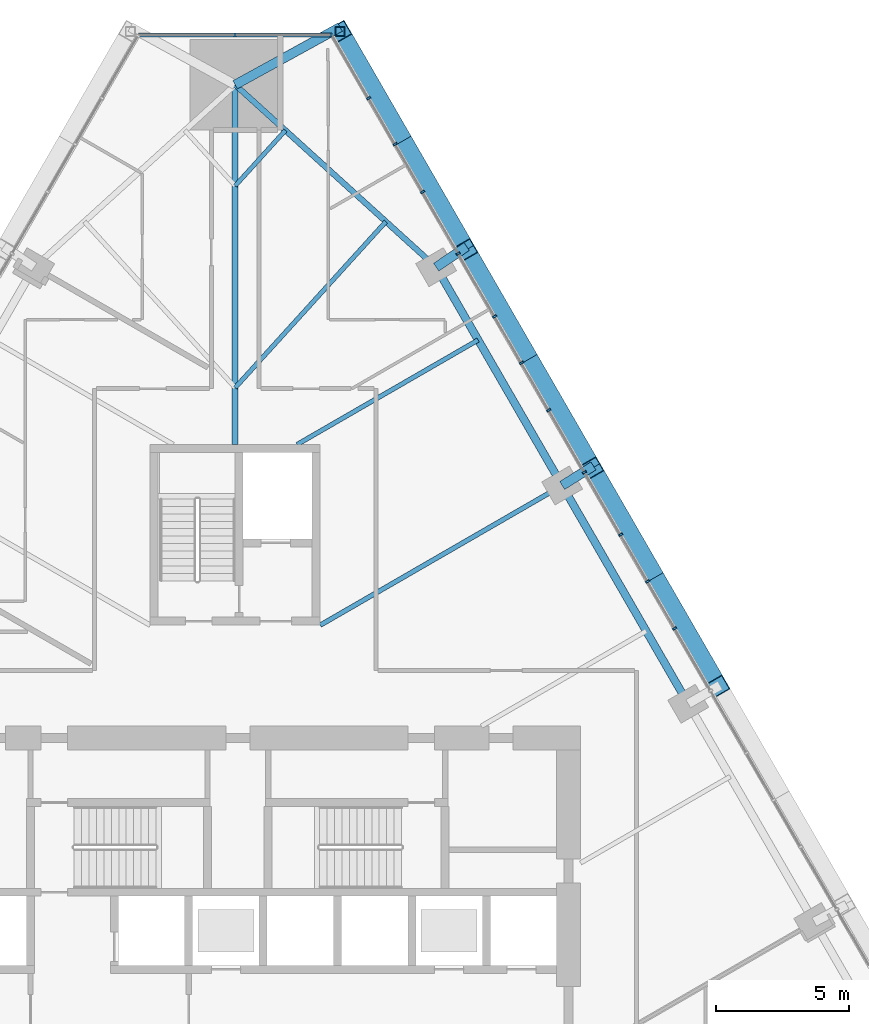
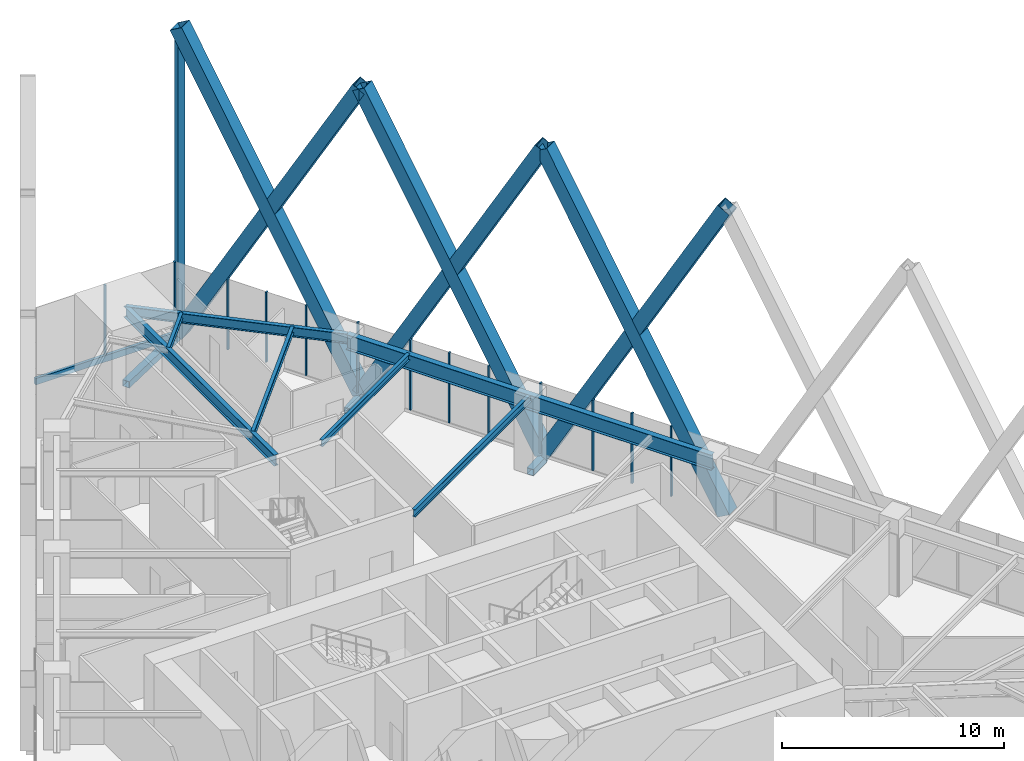
# One storey, part 11 of 21: 24 members, 7 beams, 2 elements without a shape of their own.
"""IFC4 building model written with IfcOpenShell, lengths in metres."""

from ifc_helpers import new_model, si_unit, direction, frame, origin, origin_2d, place, context, subcontext, project, spatial, rectangle, hollow_rectangle, i_section, extrude, material, layer, layer_set, material_profile, profile_set, type_object, element, aggregate, save


model = new_model("IFC4")

# Units and contexts
model_context = context("Model", 3, precision=1e-05, world=origin(), true_north=direction((0.0, 1.0)))
body_context = subcontext(model_context, "Body", "Model", "MODEL_VIEW")
ifc_project = project(units=[si_unit("LENGTHUNIT", "METRE"), si_unit("AREAUNIT", "SQUARE_METRE"), si_unit("VOLUMEUNIT", "CUBIC_METRE"), si_unit("PLANEANGLEUNIT", "RADIAN"), si_unit("MASSUNIT", "GRAM", prefix="KILO")], contexts=[model_context])

# Site, building, storey
site_placement = place(None, origin())
site = spatial("IfcSite", under=ifc_project, at=site_placement, CompositionType="ELEMENT")
building_placement = place(site_placement, origin())
building = spatial("IfcBuilding", under=site, at=building_placement, Name="Firuza Gate Tower and Library", CompositionType="ELEMENT")
storey_placement = place(building_placement, frame((0.0, 0.0, 73.60009765625)))
storey = spatial("IfcBuildingStorey", under=building, at=storey_placement, Name="L16", CompositionType="ELEMENT", Elevation=73.60009765625)

# Members
ifc_material_1 = material(Name="Steel S355", Category="steel")
ifc_material_profile_1 = material_profile(ifc_material_1, hollow_rectangle(XDim=0.699951171875, YDim=0.699951171875, WallThickness=0.030029296875, at=origin_2d()))
ifc_profile_set_1 = profile_set([ifc_material_profile_1], Name="Steel S355")
member_type_1 = type_object("IfcMemberType", Name="BU700x700x30 Lattice brace", PredefinedType="BRACE", material=ifc_profile_set_1)
for number, where, z_axis, x_axis, name in (
    (1, (93.17431640625, 85.492919921875, 0.0), (-0.245828209421, 0.425789239287, 0.870788157453), (-0.866026568532, -0.499997982593, 0.0), "Lattice brace E 3.4R"),
    (2, (88.431640625, 93.70751953125, 0.0), (0.245828209421, -0.425789239287, 0.870788157453), (0.866026568532, 0.499997982593, 0.0), "Lattice brace E 3.4L"),
):
    element("IfcMember", number, at=place(storey_placement, frame(where, z_axis=z_axis, x_axis=x_axis)), inside=storey, type_object=member_type_1, Name=name, PredefinedType="BRACE", context=body_context, shape_type="SweptSolid", body=[
        extrude(hollow_rectangle(XDim=0.699951171875, YDim=0.699951171875, WallThickness=0.030029296875, at=origin_2d()), origin(), (0.0, 0.0, 1.0), 19.292724609375),
    ])
for number, where, z_axis, x_axis, name in (
    (3, (88.431640625, 93.70751953125, 0.0), (-0.245829533982, 0.42577887884, 0.870792849394), (-0.866020133719, -0.500009127909, 0.0), "Lattice brace E 3.5R"),
    (4, (83.68896484375, 101.921875, 0.0), (0.245829533982, -0.42577887884, 0.870792849394), (0.866020133719, 0.500009127909, 0.0), "Lattice brace E 3.5L"),
):
    element("IfcMember", number, at=place(storey_placement, frame(where, z_axis=z_axis, x_axis=x_axis)), inside=storey, type_object=member_type_1, Name=name, PredefinedType="BRACE", context=body_context, shape_type="SweptSolid", body=[
        extrude(hollow_rectangle(XDim=0.699951171875, YDim=0.699951171875, WallThickness=0.030029296875, at=origin_2d()), origin(), (0.0, 0.0, 1.0), 19.29248046875),
    ])
for number, where, z_axis, x_axis, name in (
    (5, (83.68896484375, 101.921875, 0.0), (-0.245828209421, 0.425789239287, 0.870788157453), (-0.866026568532, -0.499997982593, 0.0), "Lattice brace E 3.6R"),
    (6, (78.9462890625, 110.136474609375, 0.0), (0.245828209421, -0.425789239287, 0.870788157453), (0.866026568532, 0.499997982593, 0.0), "Lattice brace E 3.6L"),
):
    element("IfcMember", number, at=place(storey_placement, frame(where, z_axis=z_axis, x_axis=x_axis)), inside=storey, type_object=member_type_1, Name=name, PredefinedType="BRACE", context=body_context, shape_type="SweptSolid", body=[
        extrude(hollow_rectangle(XDim=0.699951171875, YDim=0.699951171875, WallThickness=0.030029296875, at=origin_2d()), origin(), (0.0, 0.0, 1.0), 19.292724609375),
    ])

# Curtain wall, members
ifc_material_2 = material(Name="Aluminium 6063-T6", Category="aluminium")
ifc_layer_1 = layer(ifc_material_2, 0.14990234375)
ifc_layer_set_1 = layer_set([ifc_layer_1], Name="Unitised curtain wall, offices")
curtain_wall_type_1 = type_object("IfcCurtainWallType", Name="Unitised curtain wall, offices", PredefinedType="NOTDEFINED", material=ifc_layer_set_1)
placement = place(storey_placement, origin())
curtain_wall_1 = element("IfcCurtainWall", 7, at=placement, inside=storey, type_object=curtain_wall_type_1, Name="CW1 L16 E face", PredefinedType="NOTDEFINED")
ifc_material_3 = material(Name="Aluminium 6063-T6", Category="aluminium")
ifc_material_profile_2 = material_profile(ifc_material_3, rectangle(XDim=0.14990234375, YDim=0.080078125, at=origin_2d()))
ifc_profile_set_2 = profile_set([ifc_material_profile_2], Name="Aluminium 6063-T6")
member_type_2 = type_object("IfcMemberType", Name="Curtain wall mullion 80x150", PredefinedType="MULLION", material=ifc_profile_set_2)
member_1_placement = place(storey_placement, frame((90.51806640625, 89.444091796875, 0.14990234375), z_axis=(0.0, 0.0, 1.0), x_axis=(-0.866025403784, -0.5, 0.0)))
member_1 = element("IfcMember", 8, at=member_1_placement, type_object=member_type_2, Name="Mullion", PredefinedType="MULLION", context=body_context, shape_type="SweptSolid", body=[
    extrude(rectangle(XDim=0.14990234375, YDim=0.080078125, at=origin_2d()), origin(), (0.0, 0.0, 1.0), 3.85009765625),
])
member_2_placement = place(storey_placement, frame((88.14306640625, 93.557373046875, 0.14990234375), z_axis=(0.0, 0.0, 1.0), x_axis=(-0.866025403784, -0.5, 0.0)))
member_2 = element("IfcMember", 9, at=member_2_placement, type_object=member_type_2, Name="Mullion", PredefinedType="MULLION", context=body_context, shape_type="SweptSolid", body=[
    extrude(rectangle(XDim=0.14990234375, YDim=0.080078125, at=origin_2d()), origin(), (0.0, 0.0, 1.0), 3.85009765625),
])
member_3_placement = place(storey_placement, frame((85.76806640625, 97.6708984375, 0.14990234375), z_axis=(0.0, 0.0, 1.0), x_axis=(-0.866025403784, -0.5, 0.0)))
member_3 = element("IfcMember", 10, at=member_3_placement, type_object=member_type_2, Name="Mullion", PredefinedType="MULLION", context=body_context, shape_type="SweptSolid", body=[
    extrude(rectangle(XDim=0.14990234375, YDim=0.080078125, at=origin_2d()), origin(), (0.0, 0.0, 1.0), 3.85009765625),
])
member_4_placement = place(storey_placement, frame((83.39306640625, 101.784423828125, 0.14990234375), z_axis=(0.0, 0.0, 1.0), x_axis=(-0.866025403784, -0.5, 0.0)))
member_4 = element("IfcMember", 11, at=member_4_placement, type_object=member_type_2, Name="Mullion", PredefinedType="MULLION", context=body_context, shape_type="SweptSolid", body=[
    extrude(rectangle(XDim=0.14990234375, YDim=0.080078125, at=origin_2d()), origin(), (0.0, 0.0, 1.0), 3.85009765625),
])
member_5_placement = place(storey_placement, frame((81.018310546875, 105.89794921875, 0.14990234375), z_axis=(0.0, 0.0, 1.0), x_axis=(-0.866025403784, -0.5, 0.0)))
member_5 = element("IfcMember", 12, at=member_5_placement, type_object=member_type_2, Name="Mullion", PredefinedType="MULLION", context=body_context, shape_type="SweptSolid", body=[
    extrude(rectangle(XDim=0.14990234375, YDim=0.080078125, at=origin_2d()), origin(), (0.0, 0.0, 1.0), 3.85009765625),
])
member_6_placement = place(storey_placement, frame((91.540283203125, 87.67333984375, 0.14990234375), z_axis=(0.0, 0.0, 1.0), x_axis=(-0.866025403784, -0.5, 0.0)))
member_6 = element("IfcMember", 13, at=member_6_placement, type_object=member_type_2, Name="Mullion", PredefinedType="MULLION", context=body_context, shape_type="SweptSolid", body=[
    extrude(rectangle(XDim=0.14990234375, YDim=0.080078125, at=origin_2d()), origin(), (0.0, 0.0, 1.0), 3.85009765625),
])
member_7_placement = place(storey_placement, frame((89.5029296875, 91.2021484375, 0.14990234375), z_axis=(0.0, 0.0, 1.0), x_axis=(-0.866025403784, -0.5, 0.0)))
member_7 = element("IfcMember", 14, at=member_7_placement, type_object=member_type_2, Name="Mullion", PredefinedType="MULLION", context=body_context, shape_type="SweptSolid", body=[
    extrude(rectangle(XDim=0.14990234375, YDim=0.080078125, at=origin_2d()), origin(), (0.0, 0.0, 1.0), 3.85009765625),
])
member_8_placement = place(storey_placement, frame((86.797607421875, 95.887939453125, 0.14990234375), z_axis=(0.0, 0.0, 1.0), x_axis=(-0.866025403784, -0.5, 0.0)))
member_8 = element("IfcMember", 15, at=member_8_placement, type_object=member_type_2, Name="Mullion", PredefinedType="MULLION", context=body_context, shape_type="SweptSolid", body=[
    extrude(rectangle(XDim=0.14990234375, YDim=0.080078125, at=origin_2d()), origin(), (0.0, 0.0, 1.0), 3.85009765625),
])
member_9_placement = place(storey_placement, frame((84.76025390625, 99.41650390625, 0.14990234375), z_axis=(0.0, 0.0, 1.0), x_axis=(-0.866025403784, -0.5, 0.0)))
member_9 = element("IfcMember", 16, at=member_9_placement, type_object=member_type_2, Name="Mullion", PredefinedType="MULLION", context=body_context, shape_type="SweptSolid", body=[
    extrude(rectangle(XDim=0.14990234375, YDim=0.080078125, at=origin_2d()), origin(), (0.0, 0.0, 1.0), 3.85009765625),
])
member_10_placement = place(storey_placement, frame((82.054931640625, 104.102294921875, 0.14990234375), z_axis=(0.0, 0.0, 1.0), x_axis=(-0.866025403784, -0.5, 0.0)))
member_10 = element("IfcMember", 17, at=member_10_placement, type_object=member_type_2, Name="Mullion", PredefinedType="MULLION", context=body_context, shape_type="SweptSolid", body=[
    extrude(rectangle(XDim=0.14990234375, YDim=0.080078125, at=origin_2d()), origin(), (0.0, 0.0, 1.0), 3.85009765625),
])
member_11_placement = place(storey_placement, frame((80.017578125, 107.631103515625, 0.14990234375), z_axis=(0.0, 0.0, 1.0), x_axis=(-0.866025403784, -0.5, 0.0)))
member_11 = element("IfcMember", 18, at=member_11_placement, type_object=member_type_2, Name="Mullion", PredefinedType="MULLION", context=body_context, shape_type="SweptSolid", body=[
    extrude(rectangle(XDim=0.14990234375, YDim=0.080078125, at=origin_2d()), origin(), (0.0, 0.0, 1.0), 3.85009765625),
])
aggregate(curtain_wall_1, [member_1, member_2, member_3, member_4, member_5, member_6, member_7, member_8, member_9, member_10, member_11])

ifc_material_4 = material(Name="Aluminium 6063-T6", Category="aluminium")
ifc_layer_2 = layer(ifc_material_4, 0.14990234375)
ifc_layer_set_2 = layer_set([ifc_layer_2], Name="Corner curtain wall, chamfers")
curtain_wall_type_2 = type_object("IfcCurtainWallType", Name="Corner curtain wall, chamfers", PredefinedType="NOTDEFINED", material=ifc_layer_set_2)
curtain_wall_2 = element("IfcCurtainWall", 19, at=placement, inside=storey, type_object=curtain_wall_type_2, Name="CW4 L16 N corner", PredefinedType="NOTDEFINED")
member_12_placement = place(storey_placement, frame((78.603271484375, 110.011474609375, 0.14990234375), z_axis=(0.0, 0.0, 1.0), x_axis=(0.0, -1.0, 0.0)))
member_12 = element("IfcMember", 20, at=member_12_placement, type_object=member_type_2, Name="Mullion", PredefinedType="MULLION", context=body_context, shape_type="SweptSolid", body=[
    extrude(rectangle(XDim=0.14990234375, YDim=0.080078125, at=origin_2d()), origin(), (0.0, 0.0, 1.0), 3.85009765625),
])
member_13_placement = place(storey_placement, frame((75.0, 110.011474609375, 0.14990234375), z_axis=(0.0, 0.0, 1.0), x_axis=(0.0, -1.0, 0.0)))
member_13 = element("IfcMember", 21, at=member_13_placement, type_object=member_type_2, Name="Mullion", PredefinedType="MULLION", context=body_context, shape_type="SweptSolid", body=[
    extrude(rectangle(XDim=0.14990234375, YDim=0.080078125, at=origin_2d()), origin(), (0.0, 0.0, 1.0), 3.85009765625),
])
ifc_material_5 = material(Name="Aluminium 6063-T6", Category="aluminium")
ifc_material_profile_3 = material_profile(ifc_material_5, rectangle(XDim=0.14990234375, YDim=0.35009765625, at=origin_2d()))
ifc_profile_set_3 = profile_set([ifc_material_profile_3], Name="Aluminium 6063-T6")
member_type_3 = type_object("IfcMemberType", Name="Curtain wall transom 350x150", PredefinedType="USERDEFINED", material=ifc_profile_set_3)
member_14_placement = place(storey_placement, frame((78.643310546875, 110.011474609375, -0.025146484375), z_axis=(-1.0, 0.0, 0.0), x_axis=(0.0, -1.0, 0.0)))
member_14 = element("IfcMember", 22, at=member_14_placement, type_object=member_type_3, Name="Transom", ObjectType="TRANSOM", PredefinedType="USERDEFINED", context=body_context, shape_type="SweptSolid", body=[
    extrude(rectangle(XDim=0.14990234375, YDim=0.35009765625, at=origin_2d()), origin(), (0.0, 0.0, 1.0), 7.28662109375),
])
aggregate(curtain_wall_2, [member_12, member_13, member_14])

# Members
ifc_material_6 = material(Name="Steel S355", Category="steel")
ifc_material_profile_4 = material_profile(ifc_material_6, hollow_rectangle(XDim=0.355712890625, YDim=0.355712890625, WallThickness=0.014892578125, at=origin_2d()))
ifc_profile_set_4 = profile_set([ifc_material_profile_4], Name="Steel S355")
member_type_4 = type_object("IfcMemberType", Name="HSS356x356x16 Lattice corner stile", PredefinedType="BRACE", material=ifc_profile_set_4)
member_15_placement = place(storey_placement, frame((78.9462890625, 110.136474609375, -0.14013671875), z_axis=(0.0, 0.0, 1.0), x_axis=(1.0, 0.0, 0.0)))
element("IfcMember", 23, at=member_15_placement, inside=storey, type_object=member_type_4, Name="Lattice corner stile E 3.B", PredefinedType="BRACE", context=body_context, shape_type="SweptSolid", body=[
    extrude(hollow_rectangle(XDim=0.355712890625, YDim=0.355712890625, WallThickness=0.014892578125, at=origin_2d()), origin(), (0.0, 0.0, 1.0), 16.43994140625),
])
ifc_material_7 = material(Name="Steel S355", Category="steel")
ifc_material_profile_5 = material_profile(ifc_material_7, hollow_rectangle(XDim=0.355712890625, YDim=0.355712890625, WallThickness=0.014892578125, at=origin_2d()))
ifc_profile_set_5 = profile_set([ifc_material_profile_5], Name="Steel S355")
member_type_5 = type_object("IfcMemberType", Name="HSS356x356x16 Lattice node tie", PredefinedType="BRACE", material=ifc_profile_set_5)
member_16_placement = place(storey_placement, frame((75.0, 108.136474609375, -0.320068359375), z_axis=(0.876220486676, 0.481910426043, 0.0), x_axis=(-0.481910426043, 0.876220486676, 0.0)))
element("IfcMember", 24, at=member_16_placement, inside=storey, type_object=member_type_5, Name="Lattice node tie E L16 43", PredefinedType="BRACE", context=body_context, shape_type="SweptSolid", body=[
    extrude(hollow_rectangle(XDim=0.355712890625, YDim=0.355712890625, WallThickness=0.014892578125, at=origin_2d()), origin(), (0.0, 0.0, 1.0), 4.503662109375),
])
member_17_placement = place(storey_placement, frame((82.563232421875, 101.27197265625, -0.320068359375), z_axis=(0.828408179882, 0.560124885633, 0.0), x_axis=(-0.560124885633, 0.828408179882, 0.0)))
element("IfcMember", 25, at=member_17_placement, inside=storey, type_object=member_type_5, Name="Lattice node tie E L16 44", PredefinedType="BRACE", context=body_context, shape_type="SweptSolid", body=[
    extrude(hollow_rectangle(XDim=0.355712890625, YDim=0.355712890625, WallThickness=0.014892578125, at=origin_2d()), origin(), (0.0, 0.0, 1.0), 1.388671875),
])
member_18_placement = place(storey_placement, frame((87.305908203125, 93.057373046875, -0.320068359375), z_axis=(0.847691426785, 0.530489627566, 0.0), x_axis=(-0.530489627566, 0.847691426785, 0.0)))
element("IfcMember", 26, at=member_18_placement, inside=storey, type_object=member_type_5, Name="Lattice node tie E L16 45", PredefinedType="BRACE", context=body_context, shape_type="SweptSolid", body=[
    extrude(hollow_rectangle(XDim=0.355712890625, YDim=0.355712890625, WallThickness=0.014892578125, at=origin_2d()), origin(), (0.0, 0.0, 1.0), 1.38623046875),
])

# Beams
ifc_material_8 = material(Name="Steel S355", Category="steel")
ifc_material_profile_6 = material_profile(ifc_material_8, i_section(OverallWidth=0.1650390625, OverallDepth=0.31005859375, WebThickness=0.005859375, FlangeThickness=0.009765625, at=origin_2d()))
ifc_profile_set_6 = profile_set([ifc_material_profile_6], Name="Steel S355")
beam_type_1 = type_object("IfcBeamType", Name="W310x39 Floor beam", PredefinedType="JOIST", material=ifc_profile_set_6)
beam_1_placement = place(storey_placement, frame((76.890869140625, 106.42041015625, 3.844970703125), z_axis=(-0.672089489403, -0.740469930675, 0.0), x_axis=(0.740469930675, -0.672089489403, 0.0)))
element("IfcBeam", 27, at=beam_1_placement, inside=storey, type_object=beam_type_1, Name="Floor beam L16 s61", PredefinedType="JOIST", context=body_context, shape_type="SweptSolid", body=[
    extrude(i_section(OverallWidth=0.1650390625, OverallDepth=0.31005859375, WebThickness=0.005859375, FlangeThickness=0.009765625, at=origin_2d()), origin(), (0.0, 0.0, 1.0), 2.8134765625),
])
ifc_material_9 = material(Name="Steel S355", Category="steel")
ifc_material_profile_7 = material_profile(ifc_material_9, i_section(OverallWidth=0.1708984375, OverallDepth=0.35498046875, WebThickness=0.007080078125, FlangeThickness=0.01171875, at=origin_2d()))
ifc_profile_set_7 = profile_set([ifc_material_profile_7], Name="Steel S355")
beam_type_2 = type_object("IfcBeamType", Name="W360x51 Floor beam", PredefinedType="JOIST", material=ifc_profile_set_7)
beam_2_placement = place(storey_placement, frame((84.14404296875, 98.533935546875, 3.822509765625), z_axis=(-0.866021255939, -0.50000718421, 0.0), x_axis=(0.50000718421, -0.866021255939, 0.0)))
element("IfcBeam", 28, at=beam_2_placement, inside=storey, type_object=beam_type_2, Name="Floor beam L16 s55", PredefinedType="JOIST", context=body_context, shape_type="SweptSolid", body=[
    extrude(i_section(OverallWidth=0.1708984375, OverallDepth=0.35498046875, WebThickness=0.007080078125, FlangeThickness=0.01171875, at=origin_2d()), origin(), (0.0, 0.0, 1.0), 7.86767578125),
])
beam_3_placement = place(storey_placement, frame((80.67236328125, 102.988037109375, 3.822509765625), z_axis=(-0.672073629083, -0.740484326027, 0.0), x_axis=(0.740484326027, -0.672073629083, 0.0)))
element("IfcBeam", 29, at=beam_3_placement, inside=storey, type_object=beam_type_2, Name="Floor beam L16 s60", PredefinedType="JOIST", context=body_context, shape_type="SweptSolid", body=[
    extrude(i_section(OverallWidth=0.1708984375, OverallDepth=0.35498046875, WebThickness=0.007080078125, FlangeThickness=0.01171875, at=origin_2d()), origin(), (0.0, 0.0, 1.0), 8.440185546875),
])
ifc_material_10 = material(Name="Steel S355", Category="steel")
ifc_material_profile_8 = material_profile(ifc_material_10, i_section(OverallWidth=0.177978515625, OverallDepth=0.406982421875, WebThickness=0.0078125, FlangeThickness=0.0126953125, at=origin_2d()))
ifc_profile_set_8 = profile_set([ifc_material_profile_8], Name="Steel S355")
beam_type_3 = type_object("IfcBeamType", Name="W410x60 Floor beam", PredefinedType="JOIST", material=ifc_profile_set_8)
beam_4_placement = place(storey_placement, frame((87.305908203125, 93.057373046875, 3.79638671875), z_axis=(-0.866035561846, -0.499982405309, 0.0), x_axis=(0.499982405309, -0.866035561846, 0.0)))
element("IfcBeam", 30, at=beam_4_placement, inside=storey, type_object=beam_type_3, Name="Floor beam L16 s54", PredefinedType="JOIST", context=body_context, shape_type="SweptSolid", body=[
    extrude(i_section(OverallWidth=0.177978515625, OverallDepth=0.406982421875, WebThickness=0.0078125, FlangeThickness=0.0126953125, at=origin_2d()), origin(), (0.0, 0.0, 1.0), 10.5146484375),
])
ifc_material_11 = material(Name="Steel S355", Category="steel")
ifc_material_profile_9 = material_profile(ifc_material_11, i_section(OverallWidth=0.212890625, OverallDepth=0.5390625, WebThickness=0.01171875, FlangeThickness=0.018798828125, at=origin_2d()))
ifc_profile_set_9 = profile_set([ifc_material_profile_9], Name="Steel S355")
beam_type_4 = type_object("IfcBeamType", Name="W530x109 Edge beam", PredefinedType="SPANDREL", material=ifc_profile_set_9)
beam_5_placement = place(storey_placement, frame((82.563232421875, 101.27197265625, 3.73046875), z_axis=(-0.740483862736, 0.672074139532, 0.0), x_axis=(-0.672074139532, -0.740483862736, 0.0)))
element("IfcBeam", 31, at=beam_5_placement, inside=storey, type_object=beam_type_4, Name="Edge beam L16 e60", PredefinedType="SPANDREL", context=body_context, shape_type="SweptSolid", body=[
    extrude(i_section(OverallWidth=0.212890625, OverallDepth=0.5390625, WebThickness=0.01171875, FlangeThickness=0.018798828125, at=origin_2d()), origin(), (0.0, 0.0, 1.0), 10.2138671875),
])
ifc_material_12 = material(Name="Steel S355", Category="steel")
ifc_material_profile_10 = material_profile(ifc_material_12, i_section(OverallWidth=0.22802734375, OverallDepth=0.60302734375, WebThickness=0.010498046875, FlangeThickness=0.014892578125, at=origin_2d()))
ifc_profile_set_10 = profile_set([ifc_material_profile_10], Name="Steel S355")
beam_type_5 = type_object("IfcBeamType", Name="W610x101 Girder", PredefinedType="BEAM", material=ifc_profile_set_10)
beam_6_placement = place(storey_placement, frame((75.0, 108.136474609375, 3.698486328125), z_axis=(0.0, -1.0, 0.0), x_axis=(1.0, 0.0, 0.0)))
element("IfcBeam", 32, at=beam_6_placement, inside=storey, type_object=beam_type_5, Name="Girder L16 gN", PredefinedType="BEAM", context=body_context, shape_type="SweptSolid", body=[
    extrude(i_section(OverallWidth=0.22802734375, OverallDepth=0.60302734375, WebThickness=0.010498046875, FlangeThickness=0.014892578125, at=origin_2d()), origin(), (0.0, 0.0, 1.0), 13.536376953125),
])
ifc_material_13 = material(Name="Steel S355", Category="steel")
ifc_material_profile_11 = material_profile(ifc_material_13, i_section(OverallWidth=0.2919921875, OverallDepth=0.8349609375, WebThickness=0.013916015625, FlangeThickness=0.018798828125, at=origin_2d()))
ifc_profile_set_11 = profile_set([ifc_material_profile_11], Name="Steel S355")
beam_type_6 = type_object("IfcBeamType", Name="W840x176 Edge beam", PredefinedType="SPANDREL", material=ifc_profile_set_11)
beam_7_placement = place(storey_placement, frame((92.048583984375, 84.843017578125, 3.58251953125), z_axis=(-0.500003555199, 0.866023351179, 0.0), x_axis=(-0.866023351179, -0.500003555199, 0.0)))
element("IfcBeam", 33, at=beam_7_placement, inside=storey, type_object=beam_type_6, Name="Edge beam L16 e52", PredefinedType="SPANDREL", context=body_context, shape_type="SweptSolid", body=[
    extrude(i_section(OverallWidth=0.2919921875, OverallDepth=0.8349609375, WebThickness=0.013916015625, FlangeThickness=0.018798828125, at=origin_2d()), origin(), (0.0, 0.0, 1.0), 18.970458984375),
])

save(model, "model.ifc")
